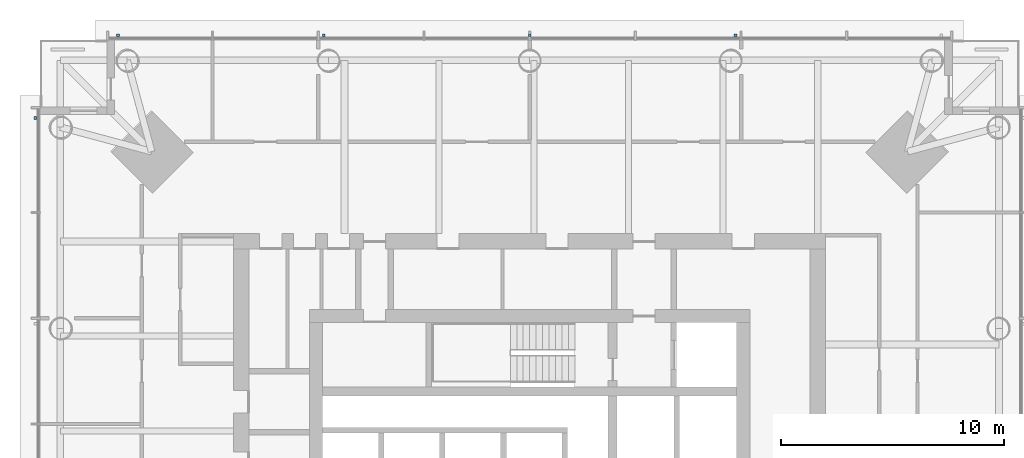
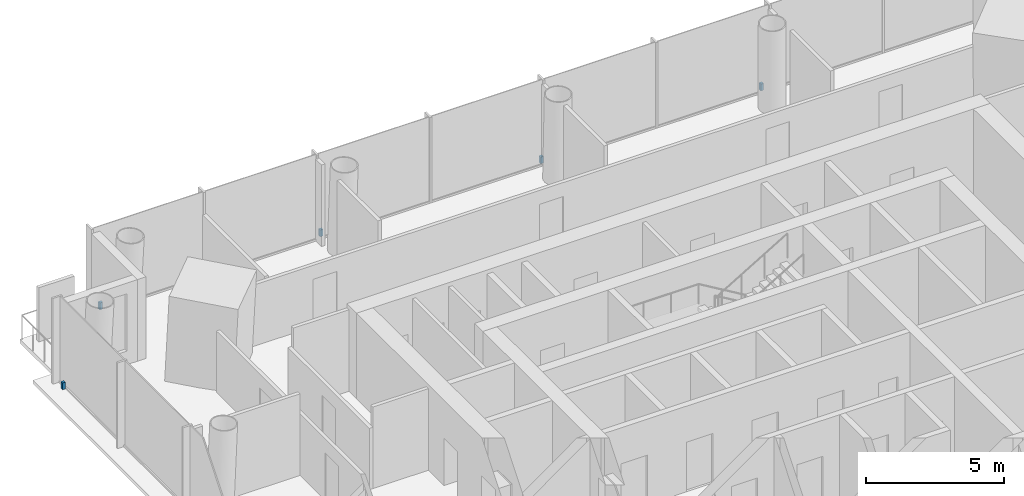
# One storey, part 21 of 27: 5 discrete accessories.
"""IFC4 building model written with IfcOpenShell, lengths in metres."""

from ifc_helpers import new_model, si_unit, direction, frame, origin, origin_2d, place, context, subcontext, project, spatial, rectangle, extrude, material, type_object, element, save


model = new_model("IFC4")

# Units and contexts
model_context = context("Model", 3, precision=1e-05, world=origin(), true_north=direction((0.0, 1.0)))
body_context = subcontext(model_context, "Body", "Model", "MODEL_VIEW")
ifc_project = project(units=[si_unit("LENGTHUNIT", "METRE"), si_unit("AREAUNIT", "SQUARE_METRE"), si_unit("VOLUMEUNIT", "CUBIC_METRE"), si_unit("PLANEANGLEUNIT", "RADIAN"), si_unit("MASSUNIT", "GRAM", prefix="KILO")], contexts=[model_context])

# Site, building, storey
site_placement = place(None, origin())
site = spatial("IfcSite", under=ifc_project, at=site_placement, CompositionType="ELEMENT")
building_placement = place(site_placement, origin())
building = spatial("IfcBuilding", under=site, at=building_placement, Name="Ostroluk Exchange", CompositionType="ELEMENT")
storey_placement = place(building_placement, frame((0.0, 0.0, 112.199951171875)))
storey = spatial("IfcBuildingStorey", under=building, at=storey_placement, Name="L28", CompositionType="ELEMENT", Elevation=112.199951171875)

# Discrete accessories
ifc_material = material(Name="Stainless steel", Category="steel")
discrete_accessory_type = type_object("IfcDiscreteAccessoryType", Name="Fall-arrest anchor PN-EN 795 type C", PredefinedType="USERDEFINED", material=ifc_material)
for number, where, z_axis, x_axis, name in (
    (1, (26.5, 68.2099609375, 0.0), (0.0, 0.0, 1.0), (1.0, 0.0, 0.0), "Fall-arrest anchor L28 north 1"),
    (2, (35.75, 68.2099609375, 0.0), (0.0, 0.0, 1.0), (1.0, 0.0, 0.0), "Fall-arrest anchor L28 north 2"),
    (3, (45.0, 68.2099609375, 0.0), (0.0, 0.0, 1.0), (1.0, 0.0, 0.0), "Fall-arrest anchor L28 north 3"),
    (4, (54.25, 68.2099609375, 0.0), (0.0, 0.0, 1.0), (1.0, 0.0, 0.0), "Fall-arrest anchor L28 north 4"),
    (5, (22.7900390625, 64.5, 0.0), (0.0, 0.0, 1.0), (1.0, 0.0, 0.0), "Fall-arrest anchor L28 west 5"),
):
    element("IfcDiscreteAccessory", number, at=place(storey_placement, frame(where, z_axis=z_axis, x_axis=x_axis)), inside=storey, type_object=discrete_accessory_type, Name=name, ObjectType="FALL ARREST ANCHOR", PredefinedType="USERDEFINED", context=body_context, shape_type="SweptSolid", body=[
        extrude(rectangle(XDim=0.1201171875, YDim=0.1201171875, at=origin_2d()), origin(), (0.0, 0.0, 1.0), 0.300048828125),
    ])

save(model, "model.ifc")
